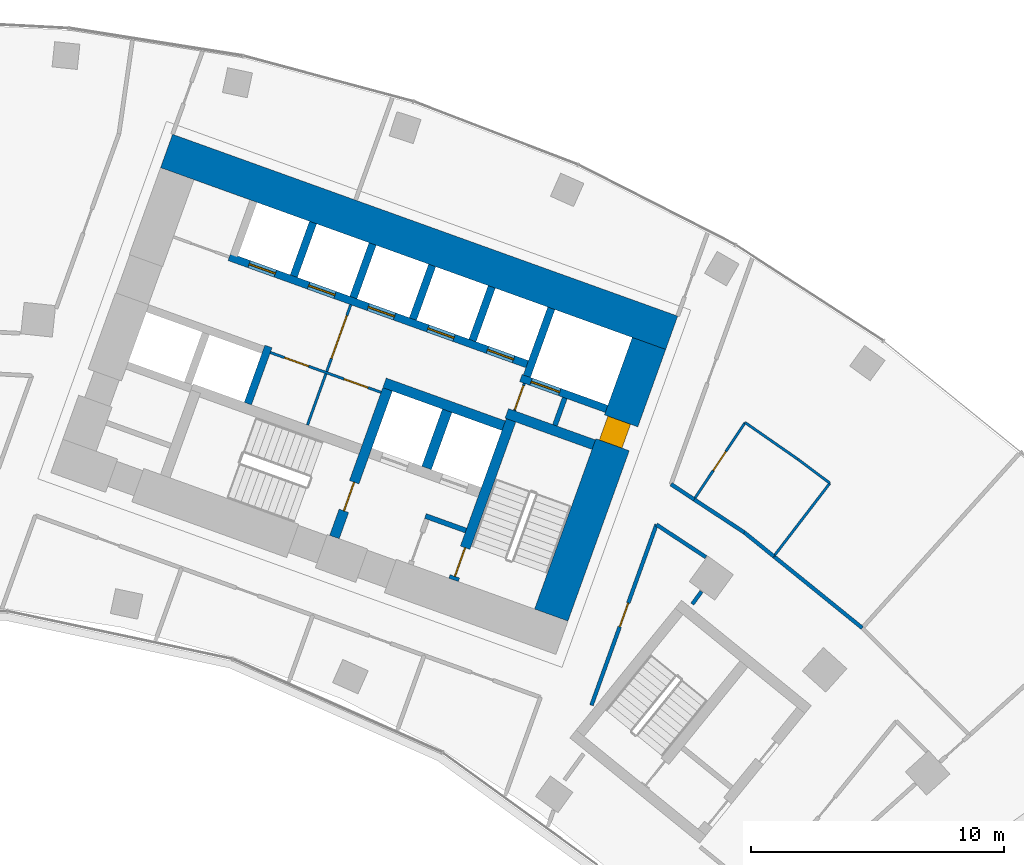
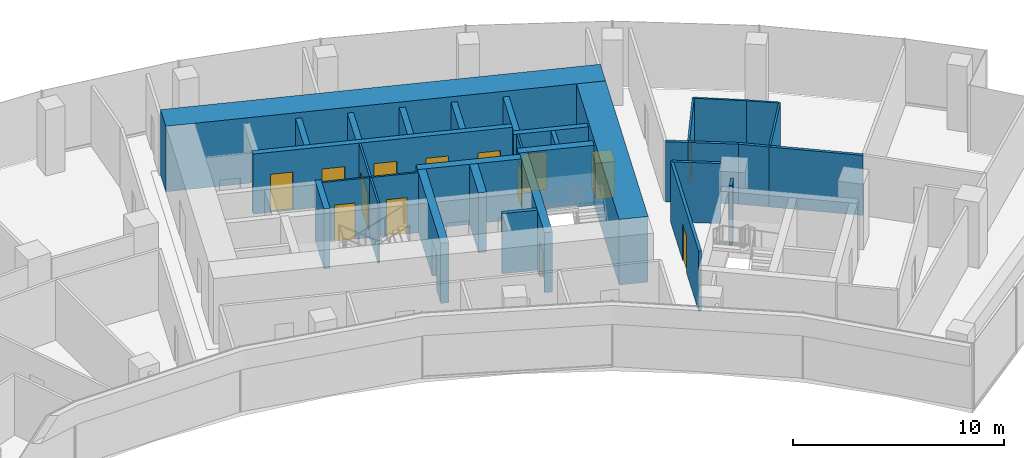
# One storey, part 17 of 21: 31 walls, 15 doors, 15 openings.
"""IFC4 building model written with IfcOpenShell, lengths in metres."""

from ifc_helpers import new_model, si_unit, direction, frame, frame_2d, origin, place, context, subcontext, project, spatial, rectangle, extrude, material, layer, layer_set, type_object, element, fill, save


model = new_model("IFC4")

# Units and contexts
model_context = context("Model", 3, precision=1e-05, world=origin(), true_north=direction((0.0, 1.0)))
body_context = subcontext(model_context, "Body", "Model", "MODEL_VIEW")
ifc_project = project(units=[si_unit("LENGTHUNIT", "METRE"), si_unit("AREAUNIT", "SQUARE_METRE"), si_unit("VOLUMEUNIT", "CUBIC_METRE"), si_unit("PLANEANGLEUNIT", "RADIAN"), si_unit("MASSUNIT", "GRAM", prefix="KILO")], contexts=[model_context])

# Site, building, storey
site_placement = place(None, origin())
site = spatial("IfcSite", under=ifc_project, at=site_placement, CompositionType="ELEMENT")
building_placement = place(site_placement, origin())
building = spatial("IfcBuilding", under=site, at=building_placement, Name="Stone Belt Terrace Tower", CompositionType="ELEMENT")
storey_placement = place(building_placement, frame((0.0, 0.0, 151.60009765625)))
storey = spatial("IfcBuildingStorey", under=building, at=storey_placement, Name="L36", CompositionType="ELEMENT", Elevation=151.60009765625)

# Wall, opening, door
ifc_material_1 = material(Name="Plasterboard partition")
ifc_layer_1 = layer(ifc_material_1, 0.10009765625)
ifc_layer_set_1 = layer_set([ifc_layer_1], Name="Core partition 100")
wall_type_1 = type_object("IfcWallType", Name="Core partition 100", PredefinedType="PARTITIONING", material=ifc_layer_set_1)
wall_1_placement = place(storey_placement, frame((24.555908203125, 51.10400390625, 0.0), z_axis=(0.0, 0.0, 1.0), x_axis=(0.338621735342, 0.94092258999, 0.0)))
wall_1 = element("IfcWall", 1, at=wall_1_placement, inside=storey, type_object=wall_type_1, Name="Core B wall", PredefinedType="PARTITIONING", context=body_context, shape_type="SweptSolid", body=[
    extrude(rectangle(XDim=1.14990234375, YDim=0.10009765625, at=frame_2d((0.574951171875, 0.0))), origin(), (0.0, 0.0, 1.0), 3.47998046875),
])
opening_1_placement = place(wall_1_placement, frame((0.050048828125, 0.0, 0.0)))
opening_1 = element("IfcOpeningElement", 2, at=opening_1_placement, cuts=wall_1, Name="Opening L36-C19", PredefinedType="OPENING", context=body_context, shape_type="SweptSolid", body=[
    extrude(rectangle(XDim=1.0, YDim=2.10009765625, at=frame_2d((0.5, 1.050048828125))), frame((0.0, 0.06005859375, 0.0), z_axis=(0.0, -1.0, 0.0), x_axis=(1.0, 0.0, 0.0)), (0.0, 0.0, 1.0), 0.1201171875),
])
ifc_material_2 = material(Name="Timber door leaf", Category="wood")
door_type_1 = type_object("IfcDoorType", Name="Core room door 1000", OperationType="SINGLE_SWING_LEFT", PredefinedType="DOOR", material=ifc_material_2)
door_1_placement = place(opening_1_placement, origin())
door_1 = element("IfcDoor", 3, at=door_1_placement, inside=storey, type_object=door_type_1, Name="Service lift lobby door core B", OperationType="SINGLE_SWING_LEFT", OverallHeight=2.10009765625, OverallWidth=1.0, PredefinedType="DOOR", context=body_context, shape_type="SweptSolid", body=[
    extrude(rectangle(XDim=1.0, YDim=2.10009765625, at=frame_2d((0.5, 1.050048828125))), frame((0.0, 0.02490234375, 0.0), z_axis=(0.0, -1.0, 0.0), x_axis=(1.0, 0.0, 0.0)), (0.0, 0.0, 1.0), 0.050048828125),
])
fill(opening_1, door_1)

# Wall, openings, doors
wall_2_placement = place(storey_placement, frame((19.29052734375, 51.829833984375, 0.0), z_axis=(0.0, 0.0, 1.0), x_axis=(-0.940930240745, 0.338600475563, 0.0)))
wall_2 = element("IfcWall", 4, at=wall_2_placement, inside=storey, type_object=wall_type_1, Name="Core B wall", PredefinedType="PARTITIONING", context=body_context, shape_type="SweptSolid", body=[
    extrude(rectangle(XDim=4.64990234375, YDim=0.10009765625, at=frame_2d((2.324951171875, 0.0))), origin(), (0.0, 0.0, 1.0), 3.47998046875),
])
opening_2_placement = place(wall_2_placement, frame((0.550048828125, 0.0, 0.0)))
opening_2 = element("IfcOpeningElement", 5, at=opening_2_placement, cuts=wall_2, Name="Opening L36-C16", PredefinedType="OPENING", context=body_context, shape_type="SweptSolid", body=[
    extrude(rectangle(XDim=1.0, YDim=2.10009765625, at=frame_2d((0.5, 1.050048828125))), frame((0.0, 0.06005859375, 0.0), z_axis=(0.0, -1.0, 0.0), x_axis=(1.0, 0.0, 0.0)), (0.0, 0.0, 1.0), 0.1201171875),
])
opening_3_placement = place(wall_2_placement, frame((3.050048828125, 0.0, 0.0)))
opening_3 = element("IfcOpeningElement", 6, at=opening_3_placement, cuts=wall_2, Name="Opening L36-C17", PredefinedType="OPENING", context=body_context, shape_type="SweptSolid", body=[
    extrude(rectangle(XDim=1.0, YDim=2.10009765625, at=frame_2d((0.5, 1.050048828125))), frame((0.0, 0.06005859375, 0.0), z_axis=(0.0, -1.0, 0.0), x_axis=(1.0, 0.0, 0.0)), (0.0, 0.0, 1.0), 0.1201171875),
])
door_2_placement = place(opening_2_placement, origin())
door_2 = element("IfcDoor", 7, at=door_2_placement, inside=storey, type_object=door_type_1, Name="Door to Services store core B", OperationType="SINGLE_SWING_LEFT", OverallHeight=2.10009765625, OverallWidth=1.0, PredefinedType="DOOR", context=body_context, shape_type="SweptSolid", body=[
    extrude(rectangle(XDim=1.0, YDim=2.10009765625, at=frame_2d((0.5, 1.050048828125))), frame((0.0, 0.02490234375, 0.0), z_axis=(0.0, -1.0, 0.0), x_axis=(1.0, 0.0, 0.0)), (0.0, 0.0, 1.0), 0.050048828125),
])
fill(opening_2, door_2)
door_3_placement = place(opening_3_placement, origin())
door_3 = element("IfcDoor", 8, at=door_3_placement, inside=storey, type_object=door_type_1, Name="Door to Server room core B", OperationType="SINGLE_SWING_RIGHT", OverallHeight=2.10009765625, OverallWidth=1.0, PredefinedType="DOOR", context=body_context, shape_type="SweptSolid", body=[
    extrude(rectangle(XDim=1.0, YDim=2.10009765625, at=frame_2d((0.5, 1.050048828125))), frame((0.0, 0.02490234375, 0.0), z_axis=(0.0, -1.0, 0.0), x_axis=(1.0, 0.0, 0.0)), (0.0, 0.0, 1.0), 0.050048828125),
])
fill(opening_3, door_3)

# Wall, opening, door
wall_3_placement = place(storey_placement, frame((16.38134765625, 50.53857421875, 0.0), z_axis=(0.0, 0.0, 1.0), x_axis=(0.33860476744, 0.940928696271, 0.0)))
wall_3 = element("IfcWall", 9, at=wall_3_placement, inside=storey, type_object=wall_type_1, Name="Core B wall", PredefinedType="PARTITIONING", context=body_context, shape_type="SweptSolid", body=[
    extrude(rectangle(XDim=5.050048828125, YDim=0.10009765625, at=frame_2d((2.52490234375, 0.0))), origin(), (0.0, 0.0, 1.0), 3.47998046875),
])
opening_4_placement = place(wall_3_placement, frame((2.800048828125, 0.0, 0.0)))
opening_4 = element("IfcOpeningElement", 10, at=opening_4_placement, cuts=wall_3, Name="Opening L36-C20", PredefinedType="OPENING", context=body_context, shape_type="SweptSolid", body=[
    extrude(rectangle(XDim=1.800048828125, YDim=2.10009765625, at=frame_2d((0.89990234375, 1.050048828125))), frame((0.0, 0.06005859375, 0.0), z_axis=(0.0, -1.0, 0.0), x_axis=(1.0, 0.0, 0.0)), (0.0, 0.0, 1.0), 0.1201171875),
])
ifc_material_3 = material(Name="Glazed aluminium door leaf", Category="aluminium")
door_type_2 = type_object("IfcDoorType", Name="Lift lobby entrance door 1800", OperationType="DOUBLE_DOOR_SINGLE_SWING", PredefinedType="DOOR", material=ifc_material_3)
door_4_placement = place(opening_4_placement, origin())
door_4 = element("IfcDoor", 11, at=door_4_placement, inside=storey, type_object=door_type_2, Name="Lift lobby double door core B", OperationType="DOUBLE_DOOR_SINGLE_SWING", OverallHeight=2.10009765625, OverallWidth=1.800048828125, PredefinedType="DOOR", context=body_context, shape_type="SweptSolid", body=[
    extrude(rectangle(XDim=1.800048828125, YDim=2.10009765625, at=frame_2d((0.89990234375, 1.050048828125))), frame((0.0, 0.02490234375, 0.0), z_axis=(0.0, -1.0, 0.0), x_axis=(1.0, 0.0, 0.0)), (0.0, 0.0, 1.0), 0.050048828125),
])
fill(opening_4, door_4)

# Wall
ifc_material_4 = material(Name="Concrete B80", Category="concrete")
ifc_layer_2 = layer(ifc_material_4, 1.39990234375)
ifc_layer_set_2 = layer_set([ifc_layer_2], Name="Core wall 1400 B80")
wall_type_2 = type_object("IfcWallType", Name="Core wall 1400 B80", PredefinedType="SHEAR", material=ifc_layer_set_2)
wall_4_placement = place(storey_placement, frame((10.81787109375, 61.362060546875, 0.0), z_axis=(0.0, 0.0, 1.0), x_axis=(0.940919704758, -0.338629752382, 0.0)))
element("IfcWall", 12, at=wall_4_placement, inside=storey, type_object=wall_type_2, Name="Core B wall convex L36", PredefinedType="SHEAR", context=body_context, shape_type="SweptSolid", body=[
    extrude(rectangle(XDim=21.199951171875, YDim=1.39990234375, at=frame_2d((10.60009765625, 0.0))), origin(), (0.0, 0.0, 1.0), 3.7998046875),
])

# Wall, opening, door
wall_5_placement = place(storey_placement, frame((26.00927734375, 43.03515625, 0.0), z_axis=(0.0, 0.0, 1.0), x_axis=(0.338625431531, 0.940921259788, 0.0)))
wall_5 = element("IfcWall", 13, at=wall_5_placement, inside=storey, type_object=wall_type_2, Name="Core B wall end_b L36", PredefinedType="SHEAR", context=body_context, shape_type="SweptSolid", body=[
    extrude(rectangle(XDim=11.400146484375, YDim=1.39990234375, at=frame_2d((5.7001953125, 0.0))), origin(), (0.0, 0.0, 1.0), 3.7998046875),
])
opening_5_placement = place(wall_5_placement, frame((7.14990234375, 0.0, 0.0)))
opening_5 = element("IfcOpeningElement", 14, at=opening_5_placement, cuts=wall_5, Name="Opening L36-C18", PredefinedType="OPENING", context=body_context, shape_type="SweptSolid", body=[
    extrude(rectangle(XDim=1.0, YDim=2.10009765625, at=frame_2d((0.5, 1.050048828125))), frame((0.0, 0.7099609375, 0.0), z_axis=(0.0, -1.0, 0.0), x_axis=(1.0, 0.0, 0.0)), (0.0, 0.0, 1.0), 1.419921875),
])
door_5_placement = place(opening_5_placement, origin())
door_5 = element("IfcDoor", 15, at=door_5_placement, inside=storey, type_object=door_type_1, Name="Door to Telecommunications riser room core B", OperationType="SINGLE_SWING_RIGHT", OverallHeight=2.10009765625, OverallWidth=1.0, PredefinedType="DOOR", context=body_context, shape_type="SweptSolid", body=[
    extrude(rectangle(XDim=1.0, YDim=2.10009765625, at=frame_2d((0.5, 1.050048828125))), frame((0.0, 0.55517578125, 0.0), z_axis=(0.0, -1.0, 0.0), x_axis=(1.0, 0.0, 0.0)), (0.0, 0.0, 1.0), 0.949951171875),
])
fill(opening_5, door_5)

# Walls
ifc_layer_3 = layer(ifc_material_4, 0.39990234375)
ifc_layer_set_3 = layer_set([ifc_layer_3], Name="Fire-fighting lift shaft wall 400")
wall_type_3 = type_object("IfcWallType", Name="Fire-fighting lift shaft wall 400", PredefinedType="SHEAR", material=ifc_layer_set_3)
wall_6_placement = place(storey_placement, frame((24.130615234375, 50.512939453125, 0.0), z_axis=(0.0, 0.0, 1.0), x_axis=(-0.94091168377, 0.338652038744, 0.0)))
element("IfcWall", 16, at=wall_6_placement, inside=storey, type_object=wall_type_3, Name="Core B wall", PredefinedType="SHEAR", context=body_context, shape_type="SweptSolid", body=[
    extrude(rectangle(XDim=5.000244140625, YDim=0.39990234375, at=frame_2d((2.5, 0.0))), origin(), (0.0, 0.0, 1.0), 3.47998046875),
])
wall_7_placement = place(storey_placement, frame((21.0859375, 48.845458984375, 0.0), z_axis=(0.0, 0.0, 1.0), x_axis=(0.338629416206, 0.940919825745, 0.0)))
element("IfcWall", 17, at=wall_7_placement, inside=storey, type_object=wall_type_3, Name="Core B wall", PredefinedType="SHEAR", context=body_context, shape_type="SweptSolid", body=[
    extrude(rectangle(XDim=2.400146484375, YDim=0.39990234375, at=frame_2d((1.2001953125, 0.0))), origin(), (0.0, 0.0, 1.0), 3.47998046875),
])

# Wall, opening, door
ifc_layer_4 = layer(ifc_material_4, 0.300048828125)
ifc_layer_set_4 = layer_set([ifc_layer_4], Name="Lift shaft wall 300")
wall_type_4 = type_object("IfcWallType", Name="Lift shaft wall 300", PredefinedType="SHEAR", material=ifc_layer_set_4)
wall_8_placement = place(storey_placement, frame((28.195068359375, 51.17578125, 0.0), z_axis=(0.0, 0.0, 1.0), x_axis=(-0.940901243567, 0.338681044427, 0.0)))
wall_8 = element("IfcWall", 18, at=wall_8_placement, inside=storey, type_object=wall_type_4, Name="Core B wall", PredefinedType="SHEAR", context=body_context, shape_type="SweptSolid", body=[
    extrude(rectangle(XDim=3.599853515625, YDim=0.300048828125, at=frame_2d((1.7998046875, 0.0))), origin(), (0.0, 0.0, 1.0), 3.47998046875),
])
opening_6_placement = place(wall_8_placement, frame((1.969970703125, 0.0, 0.0)))
opening_6 = element("IfcOpeningElement", 19, at=opening_6_placement, cuts=wall_8, Name="Opening L36-LD16", PredefinedType="OPENING", context=body_context, shape_type="SweptSolid", body=[
    extrude(rectangle(XDim=1.199951171875, YDim=2.199951171875, at=frame_2d((0.60009765625, 1.10009765625))), frame((0.0, 0.159912109375, 0.0), z_axis=(0.0, -1.0, 0.0), x_axis=(1.0, 0.0, 0.0)), (0.0, 0.0, 1.0), 0.320068359375),
])
ifc_material_5 = material(Name="Stainless steel door leaf", Category="steel")
door_type_3 = type_object("IfcDoorType", Name="Landing door 1200", OperationType="SLIDING_TO_LEFT", PredefinedType="DOOR", material=ifc_material_5)
door_6_placement = place(opening_6_placement, origin())
door_6 = element("IfcDoor", 20, at=door_6_placement, inside=storey, type_object=door_type_3, Name="Landing door SV1 core B", OperationType="SLIDING_TO_LEFT", OverallHeight=2.199951171875, OverallWidth=1.199951171875, PredefinedType="DOOR", context=body_context, shape_type="SweptSolid", body=[
    extrude(rectangle(XDim=1.199951171875, YDim=2.199951171875, at=frame_2d((0.60009765625, 1.10009765625))), frame((0.0, 0.02490234375, 0.0), z_axis=(0.0, -1.0, 0.0), x_axis=(1.0, 0.0, 0.0)), (0.0, 0.0, 1.0), 0.050048828125),
])
fill(opening_6, door_6)

# Wall
wall_9_placement = place(storey_placement, frame((25.046875, 52.46826171875, 0.0), z_axis=(0.0, 0.0, 1.0), x_axis=(0.338549588058, 0.940948551423, 0.0)))
element("IfcWall", 21, at=wall_9_placement, inside=storey, type_object=wall_type_4, Name="Core B wall", PredefinedType="SHEAR", context=body_context, shape_type="SweptSolid", body=[
    extrude(rectangle(XDim=2.849853515625, YDim=0.300048828125, at=frame_2d((1.4248046875, 0.0))), origin(), (0.0, 0.0, 1.0), 3.47998046875),
])

# Wall, openings, doors
wall_10_placement = place(storey_placement, frame((25.05810546875, 52.9423828125, 0.0), z_axis=(0.0, 0.0, 1.0), x_axis=(-0.940920770291, 0.338626791666, 0.0)))
wall_10 = element("IfcWall", 22, at=wall_10_placement, inside=storey, type_object=wall_type_4, Name="Core B wall", PredefinedType="SHEAR", context=body_context, shape_type="SweptSolid", body=[
    extrude(rectangle(XDim=12.500244140625, YDim=0.300048828125, at=frame_2d((6.25, 0.0))), origin(), (0.0, 0.0, 1.0), 3.47998046875),
])
opening_7_placement = place(wall_10_placement, frame((0.570068359375, 0.0, 0.0)))
opening_7 = element("IfcOpeningElement", 23, at=opening_7_placement, cuts=wall_10, Name="Opening L36-LD09", PredefinedType="OPENING", context=body_context, shape_type="SweptSolid", body=[
    extrude(rectangle(XDim=1.10009765625, YDim=2.199951171875, at=frame_2d((0.550048828125, 1.10009765625))), frame((0.0, 0.159912109375, 0.0), z_axis=(0.0, -1.0, 0.0), x_axis=(1.0, 0.0, 0.0)), (0.0, 0.0, 1.0), 0.320068359375),
])
opening_8_placement = place(wall_10_placement, frame((3.070068359375, 0.0, 0.0)))
opening_8 = element("IfcOpeningElement", 24, at=opening_8_placement, cuts=wall_10, Name="Opening L36-LD10", PredefinedType="OPENING", context=body_context, shape_type="SweptSolid", body=[
    extrude(rectangle(XDim=1.10009765625, YDim=2.199951171875, at=frame_2d((0.550048828125, 1.10009765625))), frame((0.0, 0.159912109375, 0.0), z_axis=(0.0, -1.0, 0.0), x_axis=(1.0, 0.0, 0.0)), (0.0, 0.0, 1.0), 0.320068359375),
])
opening_9_placement = place(wall_10_placement, frame((5.570068359375, 0.0, 0.0)))
opening_9 = element("IfcOpeningElement", 25, at=opening_9_placement, cuts=wall_10, Name="Opening L36-LD11", PredefinedType="OPENING", context=body_context, shape_type="SweptSolid", body=[
    extrude(rectangle(XDim=1.10009765625, YDim=2.199951171875, at=frame_2d((0.550048828125, 1.10009765625))), frame((0.0, 0.159912109375, 0.0), z_axis=(0.0, -1.0, 0.0), x_axis=(1.0, 0.0, 0.0)), (0.0, 0.0, 1.0), 0.320068359375),
])
opening_10_placement = place(wall_10_placement, frame((8.070068359375, 0.0, 0.0)))
opening_10 = element("IfcOpeningElement", 26, at=opening_10_placement, cuts=wall_10, Name="Opening L36-LD12", PredefinedType="OPENING", context=body_context, shape_type="SweptSolid", body=[
    extrude(rectangle(XDim=1.10009765625, YDim=2.199951171875, at=frame_2d((0.550048828125, 1.10009765625))), frame((0.0, 0.159912109375, 0.0), z_axis=(0.0, -1.0, 0.0), x_axis=(1.0, 0.0, 0.0)), (0.0, 0.0, 1.0), 0.320068359375),
])
opening_11_placement = place(wall_10_placement, frame((10.570068359375, 0.0, 0.0)))
opening_11 = element("IfcOpeningElement", 27, at=opening_11_placement, cuts=wall_10, Name="Opening L36-LD13", PredefinedType="OPENING", context=body_context, shape_type="SweptSolid", body=[
    extrude(rectangle(XDim=1.10009765625, YDim=2.199951171875, at=frame_2d((0.550048828125, 1.10009765625))), frame((0.0, 0.159912109375, 0.0), z_axis=(0.0, -1.0, 0.0), x_axis=(1.0, 0.0, 0.0)), (0.0, 0.0, 1.0), 0.320068359375),
])
door_type_4 = type_object("IfcDoorType", Name="Landing door 1100", OperationType="SLIDING_TO_LEFT", PredefinedType="DOOR", material=ifc_material_5)
door_7_placement = place(opening_7_placement, origin())
door_7 = element("IfcDoor", 28, at=door_7_placement, inside=storey, type_object=door_type_4, Name="Landing door MR1 core B", OperationType="SLIDING_TO_LEFT", OverallHeight=2.199951171875, OverallWidth=1.10009765625, PredefinedType="DOOR", context=body_context, shape_type="SweptSolid", body=[
    extrude(rectangle(XDim=1.10009765625, YDim=2.199951171875, at=frame_2d((0.550048828125, 1.10009765625))), frame((0.0, 0.02490234375, 0.0), z_axis=(0.0, -1.0, 0.0), x_axis=(1.0, 0.0, 0.0)), (0.0, 0.0, 1.0), 0.050048828125),
])
fill(opening_7, door_7)
door_8_placement = place(opening_8_placement, origin())
door_8 = element("IfcDoor", 29, at=door_8_placement, inside=storey, type_object=door_type_4, Name="Landing door MR2 core B", OperationType="SLIDING_TO_LEFT", OverallHeight=2.199951171875, OverallWidth=1.10009765625, PredefinedType="DOOR", context=body_context, shape_type="SweptSolid", body=[
    extrude(rectangle(XDim=1.10009765625, YDim=2.199951171875, at=frame_2d((0.550048828125, 1.10009765625))), frame((0.0, 0.02490234375, 0.0), z_axis=(0.0, -1.0, 0.0), x_axis=(1.0, 0.0, 0.0)), (0.0, 0.0, 1.0), 0.050048828125),
])
fill(opening_8, door_8)
door_9_placement = place(opening_9_placement, origin())
door_9 = element("IfcDoor", 30, at=door_9_placement, inside=storey, type_object=door_type_4, Name="Landing door MR3 core B", OperationType="SLIDING_TO_LEFT", OverallHeight=2.199951171875, OverallWidth=1.10009765625, PredefinedType="DOOR", context=body_context, shape_type="SweptSolid", body=[
    extrude(rectangle(XDim=1.10009765625, YDim=2.199951171875, at=frame_2d((0.550048828125, 1.10009765625))), frame((0.0, 0.02490234375, 0.0), z_axis=(0.0, -1.0, 0.0), x_axis=(1.0, 0.0, 0.0)), (0.0, 0.0, 1.0), 0.050048828125),
])
fill(opening_9, door_9)
door_10_placement = place(opening_10_placement, origin())
door_10 = element("IfcDoor", 31, at=door_10_placement, inside=storey, type_object=door_type_4, Name="Landing door MR4 core B", OperationType="SLIDING_TO_LEFT", OverallHeight=2.199951171875, OverallWidth=1.10009765625, PredefinedType="DOOR", context=body_context, shape_type="SweptSolid", body=[
    extrude(rectangle(XDim=1.10009765625, YDim=2.199951171875, at=frame_2d((0.550048828125, 1.10009765625))), frame((0.0, 0.02490234375, 0.0), z_axis=(0.0, -1.0, 0.0), x_axis=(1.0, 0.0, 0.0)), (0.0, 0.0, 1.0), 0.050048828125),
])
fill(opening_10, door_10)
door_11_placement = place(opening_11_placement, origin())
door_11 = element("IfcDoor", 32, at=door_11_placement, inside=storey, type_object=door_type_4, Name="Landing door MR5 core B", OperationType="SLIDING_TO_LEFT", OverallHeight=2.199951171875, OverallWidth=1.10009765625, PredefinedType="DOOR", context=body_context, shape_type="SweptSolid", body=[
    extrude(rectangle(XDim=1.10009765625, YDim=2.199951171875, at=frame_2d((0.550048828125, 1.10009765625))), frame((0.0, 0.02490234375, 0.0), z_axis=(0.0, -1.0, 0.0), x_axis=(1.0, 0.0, 0.0)), (0.0, 0.0, 1.0), 0.050048828125),
])
fill(opening_11, door_11)

# Walls
wall_11_placement = place(storey_placement, frame((22.897705078125, 53.87939453125, 0.0), z_axis=(0.0, 0.0, 1.0), x_axis=(0.338535034312, 0.940953787677, 0.0)))
element("IfcWall", 33, at=wall_11_placement, inside=storey, type_object=wall_type_4, Name="Core B wall", PredefinedType="SHEAR", context=body_context, shape_type="SweptSolid", body=[
    extrude(rectangle(XDim=2.25, YDim=0.300048828125, at=frame_2d((1.125, 0.0))), origin(), (0.0, 0.0, 1.0), 3.47998046875),
])
wall_12_placement = place(storey_placement, frame((20.54541015625, 54.72607421875, 0.0), z_axis=(0.0, 0.0, 1.0), x_axis=(0.338569601369, 0.940941350472, 0.0)))
element("IfcWall", 34, at=wall_12_placement, inside=storey, type_object=wall_type_4, Name="Core B wall", PredefinedType="SHEAR", context=body_context, shape_type="SweptSolid", body=[
    extrude(rectangle(XDim=2.249755859375, YDim=0.300048828125, at=frame_2d((1.125, 0.0))), origin(), (0.0, 0.0, 1.0), 3.47998046875),
])
wall_13_placement = place(storey_placement, frame((18.193115234375, 55.572509765625, 0.0), z_axis=(0.0, 0.0, 1.0), x_axis=(0.338535034312, 0.940953787677, 0.0)))
element("IfcWall", 35, at=wall_13_placement, inside=storey, type_object=wall_type_4, Name="Core B wall", PredefinedType="SHEAR", context=body_context, shape_type="SweptSolid", body=[
    extrude(rectangle(XDim=2.25, YDim=0.300048828125, at=frame_2d((1.125, 0.0))), origin(), (0.0, 0.0, 1.0), 3.47998046875),
])
wall_14_placement = place(storey_placement, frame((14.029052734375, 51.38525390625, 0.0), z_axis=(0.0, 0.0, 1.0), x_axis=(0.338661829791, 0.940908159728, 0.0)))
element("IfcWall", 36, at=wall_14_placement, inside=storey, type_object=wall_type_4, Name="Core B wall", PredefinedType="SHEAR", context=body_context, shape_type="SweptSolid", body=[
    extrude(rectangle(XDim=2.39990234375, YDim=0.300048828125, at=frame_2d((1.199951171875, 0.0))), origin(), (0.0, 0.0, 1.0), 3.47998046875),
])
wall_15_placement = place(storey_placement, frame((15.8408203125, 56.419189453125, 0.0), z_axis=(0.0, 0.0, 1.0), x_axis=(0.338569601369, 0.940941350472, 0.0)))
element("IfcWall", 37, at=wall_15_placement, inside=storey, type_object=wall_type_4, Name="Core B wall", PredefinedType="SHEAR", context=body_context, shape_type="SweptSolid", body=[
    extrude(rectangle(XDim=2.249755859375, YDim=0.300048828125, at=frame_2d((1.125, 0.0))), origin(), (0.0, 0.0, 1.0), 3.47998046875),
])
ifc_material_6 = material(Name="Gypsum board partition")
ifc_layer_5 = layer(ifc_material_6, 0.10009765625)
ifc_layer_set_5 = layer_set([ifc_layer_5], Name="PARTITION 100")
wall_type_5 = type_object("IfcWallType", Name="PARTITION 100", PredefinedType="PARTITIONING", material=ifc_layer_set_5)
wall_16_placement = place(storey_placement, frame((34.797119140625, 45.35595703125, 0.0), z_axis=(0.0, 0.0, 1.0), x_axis=(0.608731416363, 0.793376368902, 0.0)))
element("IfcWall", 38, at=wall_16_placement, inside=storey, type_object=wall_type_5, Name="L36/wall/i075", PredefinedType="PARTITIONING", context=body_context, shape_type="SweptSolid", body=[
    extrude(rectangle(XDim=3.64013671875, YDim=0.10009765625, at=frame_2d((1.820068359375, 0.0))), origin(), (0.0, 0.0, 1.0), 3.47998046875),
])
wall_17_placement = place(storey_placement, frame((37.012939453125, 48.243896484375, 0.0), z_axis=(0.0, 0.0, 1.0), x_axis=(-0.801142595799, 0.598473509185, 0.0)))
element("IfcWall", 39, at=wall_17_placement, inside=storey, type_object=wall_type_5, Name="L36/wall/i076", PredefinedType="PARTITIONING", context=body_context, shape_type="SweptSolid", body=[
    extrude(rectangle(XDim=1.587646484375, YDim=0.10009765625, at=frame_2d((0.7939453125, 0.0))), origin(), (0.0, 0.0, 1.0), 3.47998046875),
])
wall_18_placement = place(storey_placement, frame((35.740966796875, 49.194091796875, 0.0), z_axis=(0.0, 0.0, 1.0), x_axis=(-0.821137394725, 0.570730566015, 0.0)))
element("IfcWall", 40, at=wall_18_placement, inside=storey, type_object=wall_type_5, Name="L36/wall/i077", PredefinedType="PARTITIONING", context=body_context, shape_type="SweptSolid", body=[
    extrude(rectangle(XDim=2.528076171875, YDim=0.10009765625, at=frame_2d((1.26416015625, 0.0))), origin(), (0.0, 0.0, 1.0), 3.47998046875),
])

# Wall, opening, door
wall_19_placement = place(storey_placement, frame((33.6650390625, 50.636962890625, 0.0), z_axis=(0.0, 0.0, 1.0), x_axis=(-0.553585865101, -0.832792104886, 0.0)))
wall_19 = element("IfcWall", 41, at=wall_19_placement, inside=storey, type_object=wall_type_5, Name="L36/wall/i078", PredefinedType="PARTITIONING", context=body_context, shape_type="SweptSolid", body=[
    extrude(rectangle(XDim=3.641845703125, YDim=0.10009765625, at=frame_2d((1.82080078125, 0.0))), origin(), (0.0, 0.0, 1.0), 3.47998046875),
])
opening_12_placement = place(wall_19_placement, frame((1.370849609375, 0.0, 0.0)))
opening_12 = element("IfcOpeningElement", 42, at=opening_12_placement, cuts=wall_19, Name="Opening D-C1-24", PredefinedType="OPENING", context=body_context, shape_type="SweptSolid", body=[
    extrude(rectangle(XDim=0.89990234375, YDim=2.10009765625, at=frame_2d((0.449951171875, 1.050048828125))), frame((0.0, 0.06005859375, 0.0), z_axis=(0.0, -1.0, 0.0), x_axis=(1.0, 0.0, 0.0)), (0.0, 0.0, 1.0), 0.1201171875),
])
door_type_5 = type_object("IfcDoorType", Name="OFFICE DOOR 900 X 2100", OperationType="NOTDEFINED", PredefinedType="DOOR", material=ifc_material_2)
door_12_placement = place(opening_12_placement, origin())
door_12 = element("IfcDoor", 43, at=door_12_placement, inside=storey, type_object=door_type_5, Name="L36/door/i24", OperationType="SINGLE_SWING_RIGHT", OverallHeight=2.10009765625, OverallWidth=0.89990234375, PredefinedType="DOOR", context=body_context, shape_type="SweptSolid", body=[
    extrude(rectangle(XDim=0.89990234375, YDim=2.10009765625, at=frame_2d((0.449951171875, 1.050048828125))), frame((0.0, 0.02490234375, 0.0), z_axis=(0.0, -1.0, 0.0), x_axis=(1.0, 0.0, 0.0)), (0.0, 0.0, 1.0), 0.050048828125),
])
fill(opening_12, door_12)

ifc_layer_6 = layer(ifc_material_6, 0.14990234375)
ifc_layer_set_6 = layer_set([ifc_layer_6], Name="PARTITION 150 EI 60")
wall_type_6 = type_object("IfcWallType", Name="PARTITION 150 EI 60", PredefinedType="PARTITIONING", material=ifc_layer_set_6)
wall_20_placement = place(storey_placement, frame((30.1669921875, 46.612060546875, 0.0), z_axis=(0.0, 0.0, 1.0), x_axis=(-0.338694393991, -0.940896438233, 0.0)))
wall_20 = element("IfcWall", 44, at=wall_20_placement, inside=storey, type_object=wall_type_6, Name="L36/wall/i028", PredefinedType="PARTITIONING", context=body_context, shape_type="SweptSolid", body=[
    extrude(rectangle(XDim=7.585205078125, YDim=0.14990234375, at=frame_2d((3.79248046875, 0.0))), origin(), (0.0, 0.0, 1.0), 3.47998046875),
])
opening_13_placement = place(wall_20_placement, frame((3.292724609375, 0.0, 0.0)))
opening_13 = element("IfcOpeningElement", 45, at=opening_13_placement, cuts=wall_20, Name="Opening D-C1-21", PredefinedType="OPENING", context=body_context, shape_type="SweptSolid", body=[
    extrude(rectangle(XDim=1.0, YDim=2.10009765625, at=frame_2d((0.5, 1.050048828125))), frame((0.0, 0.0849609375, 0.0), z_axis=(0.0, -1.0, 0.0), x_axis=(1.0, 0.0, 0.0)), (0.0, 0.0, 1.0), 0.169921875),
])
ifc_material_7 = material(Name="Timber fire door leaf", Category="wood")
door_type_6 = type_object("IfcDoorType", Name="TENANCY ENTRANCE DOOR 1000 X 2100", OperationType="NOTDEFINED", PredefinedType="DOOR", material=ifc_material_7)
door_13_placement = place(opening_13_placement, origin())
door_13 = element("IfcDoor", 46, at=door_13_placement, inside=storey, type_object=door_type_6, Name="L36/door/i21", OperationType="SINGLE_SWING_RIGHT", OverallHeight=2.10009765625, OverallWidth=1.0, PredefinedType="DOOR", context=body_context, shape_type="SweptSolid", body=[
    extrude(rectangle(XDim=1.0, YDim=2.10009765625, at=frame_2d((0.5, 1.050048828125))), frame((0.0, 0.02490234375, 0.0), z_axis=(0.0, -1.0, 0.0), x_axis=(1.0, 0.0, 0.0)), (0.0, 0.0, 1.0), 0.050048828125),
])
fill(opening_13, door_13)

# Walls
wall_21_placement = place(storey_placement, frame((31.580078125, 43.466064453125, 0.0), z_axis=(0.0, 0.0, 1.0), x_axis=(0.58798371838, 0.808872763121, 0.0)))
element("IfcWall", 47, at=wall_21_placement, inside=storey, type_object=wall_type_6, Name="L36/wall/i065", PredefinedType="PARTITIONING", context=body_context, shape_type="SweptSolid", body=[
    extrude(rectangle(XDim=0.617919921875, YDim=0.14990234375, at=frame_2d((0.30908203125, 0.0))), origin(), (0.0, 0.0, 1.0), 3.47998046875),
])
wall_22_placement = place(storey_placement, frame((32.1181640625, 45.321044921875, 0.0), z_axis=(0.0, 0.0, 1.0), x_axis=(-0.835424653074, 0.549604993641, 0.0)))
element("IfcWall", 48, at=wall_22_placement, inside=storey, type_object=wall_type_6, Name="L36/wall/i066", PredefinedType="PARTITIONING", context=body_context, shape_type="SweptSolid", body=[
    extrude(rectangle(XDim=2.337890625, YDim=0.14990234375, at=frame_2d((1.1689453125, 0.0))), origin(), (0.0, 0.0, 1.0), 3.47998046875),
])
wall_23_placement = place(storey_placement, frame((30.739013671875, 48.202880859375, 0.0), z_axis=(0.0, 0.0, 1.0), x_axis=(0.835497879761, -0.549493669586, 0.0)))
element("IfcWall", 49, at=wall_23_placement, inside=storey, type_object=wall_type_6, Name="L36/wall/i068", PredefinedType="PARTITIONING", context=body_context, shape_type="SweptSolid", body=[
    extrude(rectangle(XDim=1.09521484375, YDim=0.14990234375, at=frame_2d((0.547607421875, 0.0))), origin(), (0.0, 0.0, 1.0), 3.47998046875),
])
wall_24_placement = place(storey_placement, frame((34.7919921875, 45.35888671875, 0.0), z_axis=(0.0, 0.0, 1.0), x_axis=(0.777241080883, -0.629202910187, 0.0)))
element("IfcWall", 50, at=wall_24_placement, inside=storey, type_object=wall_type_6, Name="L36/wall/i069", PredefinedType="PARTITIONING", context=body_context, shape_type="SweptSolid", body=[
    extrude(rectangle(XDim=4.50048828125, YDim=0.14990234375, at=frame_2d((2.250244140625, 0.0))), origin(), (0.0, 0.0, 1.0), 3.47998046875),
])
wall_25_placement = place(storey_placement, frame((31.64404296875, 47.60693359375, 0.0), z_axis=(0.0, 0.0, 1.0), x_axis=(0.835311916735, -0.549776319753, 0.0)))
element("IfcWall", 51, at=wall_25_placement, inside=storey, type_object=wall_type_6, Name="L36/wall/i070", PredefinedType="PARTITIONING", context=body_context, shape_type="SweptSolid", body=[
    extrude(rectangle(XDim=2.384765625, YDim=0.14990234375, at=frame_2d((1.1923828125, 0.0))), origin(), (0.0, 0.0, 1.0), 3.47998046875),
])
wall_26_placement = place(storey_placement, frame((33.635986328125, 46.2958984375, 0.0), z_axis=(0.0, 0.0, 1.0), x_axis=(0.777009721249, -0.629488596469, 0.0)))
element("IfcWall", 52, at=wall_26_placement, inside=storey, type_object=wall_type_6, Name="L36/wall/i071", PredefinedType="PARTITIONING", context=body_context, shape_type="SweptSolid", body=[
    extrude(rectangle(XDim=1.499267578125, YDim=0.14990234375, at=frame_2d((0.74951171875, 0.0))), origin(), (0.0, 0.0, 1.0), 3.47998046875),
])
ifc_material_8 = material(Name="Concrete masonry block", Category="masonry")
ifc_layer_7 = layer(ifc_material_8, 0.199951171875)
ifc_layer_set_7 = layer_set([ifc_layer_7], Name="Rated lobby wall 200")
wall_type_7 = type_object("IfcWallType", Name="Rated lobby wall 200", PredefinedType="PARTITIONING", material=ifc_layer_set_7)
wall_27_placement = place(storey_placement, frame((26.1552734375, 50.5283203125, 0.0), z_axis=(0.0, 0.0, 1.0), x_axis=(0.338621735342, 0.94092258999, 0.0)))
element("IfcWall", 53, at=wall_27_placement, inside=storey, type_object=wall_type_7, Name="Core B wall", PredefinedType="PARTITIONING", context=body_context, shape_type="SweptSolid", body=[
    extrude(rectangle(XDim=1.14990234375, YDim=0.199951171875, at=frame_2d((0.574951171875, 0.0))), origin(), (0.0, 0.0, 1.0), 3.47998046875),
])
wall_28_placement = place(storey_placement, frame((22.640625, 46.373046875, 0.0), z_axis=(0.0, 0.0, 1.0), x_axis=(-0.940966110313, 0.338500781747, 0.0)))
element("IfcWall", 54, at=wall_28_placement, inside=storey, type_object=wall_type_7, Name="Core B wall", PredefinedType="PARTITIONING", context=body_context, shape_type="SweptSolid", body=[
    extrude(rectangle(XDim=1.699951171875, YDim=0.199951171875, at=frame_2d((0.85009765625, 0.0))), origin(), (0.0, 0.0, 1.0), 3.47998046875),
])
ifc_layer_8 = layer(ifc_material_4, 0.39990234375)
ifc_layer_set_8 = layer_set([ifc_layer_8], Name="Stair enclosure wall 400")
wall_type_8 = type_object("IfcWallType", Name="Stair enclosure wall 400", PredefinedType="SHEAR", material=ifc_layer_set_8)
wall_29_placement = place(storey_placement, frame((27.687255859375, 49.764404296875, 0.0), z_axis=(0.0, 0.0, 1.0), x_axis=(-0.940918954884, 0.338631835981, 0.0)))
element("IfcWall", 55, at=wall_29_placement, inside=storey, type_object=wall_type_8, Name="Core B wall", PredefinedType="SHEAR", context=body_context, shape_type="SweptSolid", body=[
    extrude(rectangle(XDim=3.650146484375, YDim=0.39990234375, at=frame_2d((1.8251953125, 0.0))), origin(), (0.0, 0.0, 1.0), 3.47998046875),
])

# Wall, opening, door
wall_30_placement = place(storey_placement, frame((22.151611328125, 44.42333984375, 0.0), z_axis=(0.0, 0.0, 1.0), x_axis=(0.338625272931, 0.940921316866, 0.0)))
wall_30 = element("IfcWall", 56, at=wall_30_placement, inside=storey, type_object=wall_type_8, Name="Core B wall", PredefinedType="SHEAR", context=body_context, shape_type="SweptSolid", body=[
    extrude(rectangle(XDim=6.699951171875, YDim=0.39990234375, at=frame_2d((3.35009765625, 0.0))), origin(), (0.0, 0.0, 1.0), 3.47998046875),
])
opening_14_placement = place(wall_30_placement, frame((0.14990234375, 0.0, 0.0)))
opening_14 = element("IfcOpeningElement", 57, at=opening_14_placement, cuts=wall_30, Name="Opening L36-C22", PredefinedType="OPENING", context=body_context, shape_type="SweptSolid", body=[
    extrude(rectangle(XDim=1.199951171875, YDim=2.10009765625, at=frame_2d((0.60009765625, 1.050048828125))), frame((0.0, 0.2099609375, 0.0), z_axis=(0.0, -1.0, 0.0), x_axis=(1.0, 0.0, 0.0)), (0.0, 0.0, 1.0), 0.419921875),
])
ifc_material_9 = material(Name="Steel door leaf", Category="steel")
door_type_7 = type_object("IfcDoorType", Name="Stair door 1200", OperationType="SINGLE_SWING_LEFT", PredefinedType="DOOR", material=ifc_material_9)
door_14_placement = place(opening_14_placement, origin())
door_14 = element("IfcDoor", 58, at=door_14_placement, inside=storey, type_object=door_type_7, Name="Stair 1 door core B", OperationType="SINGLE_SWING_LEFT", OverallHeight=2.10009765625, OverallWidth=1.199951171875, PredefinedType="DOOR", context=body_context, shape_type="SweptSolid", body=[
    extrude(rectangle(XDim=1.199951171875, YDim=2.10009765625, at=frame_2d((0.60009765625, 1.050048828125))), frame((0.0, 0.02490234375, 0.0), z_axis=(0.0, -1.0, 0.0), x_axis=(1.0, 0.0, 0.0)), (0.0, 0.0, 1.0), 0.050048828125),
])
fill(opening_14, door_14)

wall_31_placement = place(storey_placement, frame((17.447021484375, 46.116455078125, 0.0), z_axis=(0.0, 0.0, 1.0), x_axis=(0.33860791464, 0.940927563707, 0.0)))
wall_31 = element("IfcWall", 59, at=wall_31_placement, inside=storey, type_object=wall_type_8, Name="Core B wall", PredefinedType="SHEAR", context=body_context, shape_type="SweptSolid", body=[
    extrude(rectangle(XDim=6.199951171875, YDim=0.39990234375, at=frame_2d((3.10009765625, 0.0))), origin(), (0.0, 0.0, 1.0), 3.47998046875),
])
opening_15_placement = place(wall_31_placement, frame((1.10009765625, 0.0, 0.0)))
opening_15 = element("IfcOpeningElement", 60, at=opening_15_placement, cuts=wall_31, Name="Opening L36-C25", PredefinedType="OPENING", context=body_context, shape_type="SweptSolid", body=[
    extrude(rectangle(XDim=1.199951171875, YDim=2.10009765625, at=frame_2d((0.60009765625, 1.050048828125))), frame((0.0, 0.2099609375, 0.0), z_axis=(0.0, -1.0, 0.0), x_axis=(1.0, 0.0, 0.0)), (0.0, 0.0, 1.0), 0.419921875),
])
door_15_placement = place(opening_15_placement, origin())
door_15 = element("IfcDoor", 61, at=door_15_placement, inside=storey, type_object=door_type_7, Name="Stair 2 door core B", OperationType="SINGLE_SWING_LEFT", OverallHeight=2.10009765625, OverallWidth=1.199951171875, PredefinedType="DOOR", context=body_context, shape_type="SweptSolid", body=[
    extrude(rectangle(XDim=1.199951171875, YDim=2.10009765625, at=frame_2d((0.60009765625, 1.050048828125))), frame((0.0, 0.02490234375, 0.0), z_axis=(0.0, -1.0, 0.0), x_axis=(1.0, 0.0, 0.0)), (0.0, 0.0, 1.0), 0.050048828125),
])
fill(opening_15, door_15)

save(model, "model.ifc")
